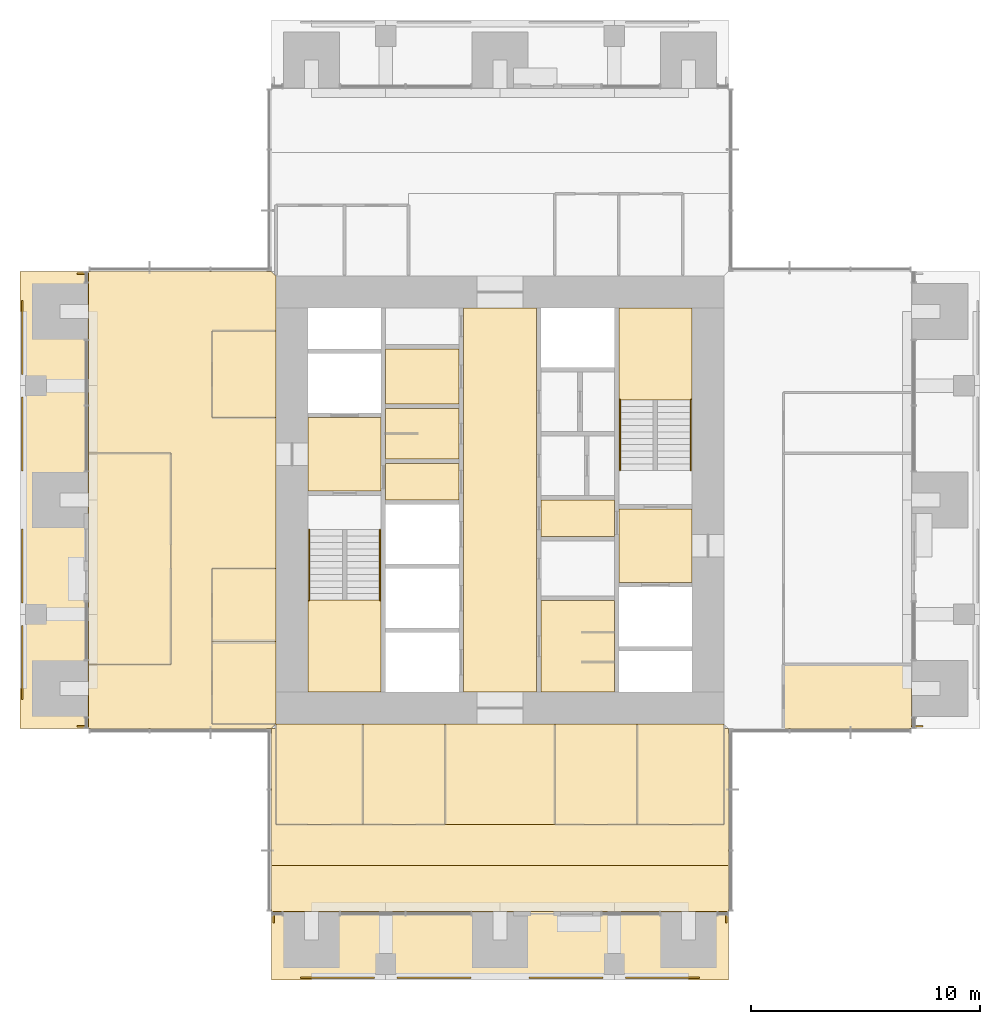
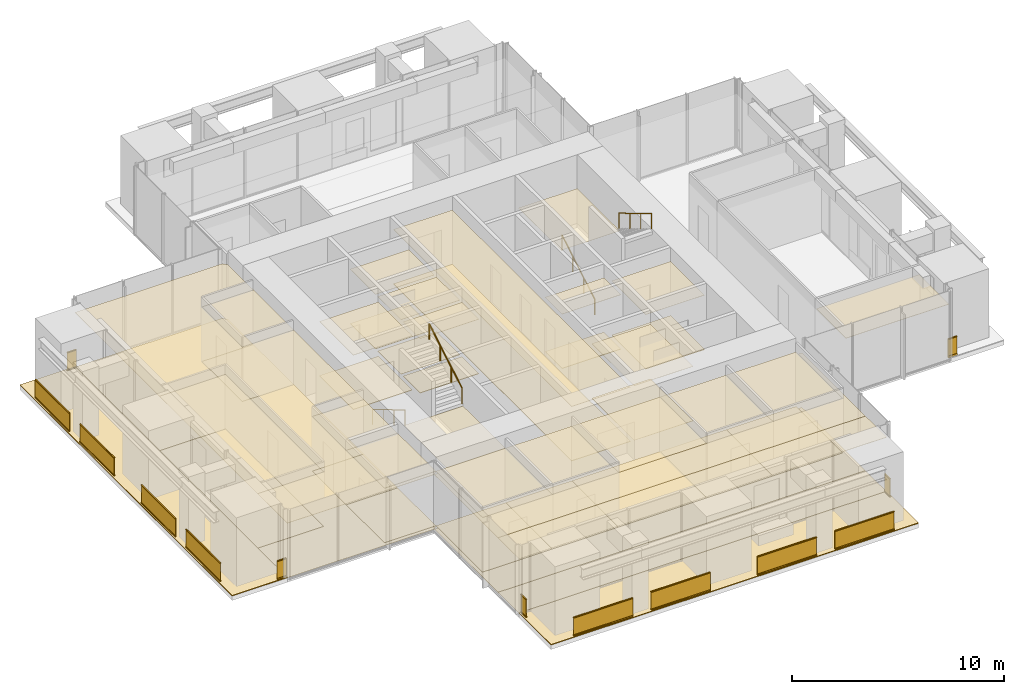
# One storey, part 15 of 17: 45 coverings, 17 railings.
"""IFC4 building model written with IfcOpenShell, lengths in metres."""

from ifc_helpers import new_model, si_unit, direction, frame, origin, origin_2d, place, context, subcontext, project, spatial, polyline, rectangle, circle, outline, extrude, material, layer, layer_set, type_object, element, save


model = new_model("IFC4")

# Units and contexts
model_context = context("Model", 3, precision=1e-05, world=origin(), true_north=direction((0.0, 1.0)))
body_context = subcontext(model_context, "Body", "Model", "MODEL_VIEW")
ifc_project = project(units=[si_unit("LENGTHUNIT", "METRE"), si_unit("AREAUNIT", "SQUARE_METRE"), si_unit("VOLUMEUNIT", "CUBIC_METRE"), si_unit("PLANEANGLEUNIT", "RADIAN"), si_unit("MASSUNIT", "GRAM", prefix="KILO")], contexts=[model_context])

# Site, building, storey
site_placement = place(None, origin())
site = spatial("IfcSite", under=ifc_project, at=site_placement, CompositionType="ELEMENT")
building_placement = place(site_placement, origin())
building = spatial("IfcBuilding", under=site, at=building_placement, Name="Svetlomir Tower", CompositionType="ELEMENT")
storey_placement = place(building_placement, frame((0.0, 0.0, 202.5)))
storey = spatial("IfcBuildingStorey", under=building, at=storey_placement, Name="L48", CompositionType="ELEMENT", Elevation=202.5)

# Railings
ifc_material_1 = material(Name="Bronze anodised aluminium and laminated glass", Category="aluminium")
railing_type_1 = type_object("IfcRailingType", Name="BALCONY GUARD GR1 1100", PredefinedType="GUARDRAIL", material=ifc_material_1)
for number, where, name in (
    (1, (12.27490234375, 0.10009765625, 0.0), "Loggia guard S L48 bay 1"),
    (2, (16.5, 0.10009765625, 0.0), "Loggia guard S L48 bay 2"),
    (3, (22.27490234375, 0.10009765625, 0.0), "Loggia guard S L48 bay 3"),
    (4, (26.5, 0.10009765625, 0.0), "Loggia guard S L48 bay 4"),
):
    element("IfcRailing", number, at=place(storey_placement, frame(where)), inside=storey, type_object=railing_type_1, Name=name, PredefinedType="GUARDRAIL", context=body_context, shape_type="SweptSolid", body=[
        extrude(rectangle(XDim=0.06005859375, YDim=0.10009765625, at=origin_2d()), frame((0.0, 0.0, 0.050048828125), z_axis=(1.0, 0.0, 0.0), x_axis=(0.0, 1.0, 0.0)), (0.0, 0.0, 1.0), 3.22509765625),
        extrude(rectangle(XDim=0.021484375, YDim=0.960205078125, at=origin_2d()), frame((0.0, 0.0, 0.580078125), z_axis=(1.0, 0.0, 0.0), x_axis=(0.0, 1.0, 0.0)), (0.0, 0.0, 1.0), 3.22509765625),
        extrude(rectangle(XDim=0.06005859375, YDim=0.0400390625, at=origin_2d()), frame((0.0, 0.0, 1.080078125), z_axis=(1.0, 0.0, 0.0), x_axis=(0.0, 1.0, 0.0)), (0.0, 0.0, 1.0), 3.22509765625),
    ])
for number, where, name in (
    (5, (11.10009765625, 2.5, 0.0), "Loggia guard S L48 end 1"),
    (6, (30.89990234375, 2.5, 0.0), "Loggia guard S L48 end 2"),
):
    element("IfcRailing", number, at=place(storey_placement, frame(where)), inside=storey, type_object=railing_type_1, Name=name, PredefinedType="GUARDRAIL", context=body_context, shape_type="SweptSolid", body=[
        extrude(rectangle(XDim=0.06005859375, YDim=0.10009765625, at=origin_2d()), frame((0.0, 0.0, 0.050048828125), z_axis=(0.0, 1.0, 0.0), x_axis=(-1.0, 0.0, 0.0)), (0.0, 0.0, 1.0), 0.5),
        extrude(rectangle(XDim=0.021484375, YDim=0.960205078125, at=origin_2d()), frame((0.0, 0.0, 0.580078125), z_axis=(0.0, 1.0, 0.0), x_axis=(-1.0, 0.0, 0.0)), (0.0, 0.0, 1.0), 0.5),
        extrude(rectangle(XDim=0.06005859375, YDim=0.0400390625, at=origin_2d()), frame((0.0, 0.0, 1.080078125), z_axis=(0.0, 1.0, 0.0), x_axis=(-1.0, 0.0, 0.0)), (0.0, 0.0, 1.0), 0.5),
    ])
railing_1_placement = place(storey_placement, frame((39.5, 11.10009765625, 0.0)))
element("IfcRailing", 7, at=railing_1_placement, inside=storey, type_object=railing_type_1, Name="Loggia guard E L48 end 1", PredefinedType="GUARDRAIL", context=body_context, shape_type="SweptSolid", body=[
    extrude(rectangle(XDim=0.06005859375, YDim=0.10009765625, at=origin_2d()), frame((0.0, 0.0, 0.050048828125), z_axis=(-1.0, 0.0, 0.0), x_axis=(0.0, -1.0, 0.0)), (0.0, 0.0, 1.0), 0.5),
    extrude(rectangle(XDim=0.021484375, YDim=0.960205078125, at=origin_2d()), frame((0.0, 0.0, 0.580078125), z_axis=(-1.0, 0.0, 0.0), x_axis=(0.0, -1.0, 0.0)), (0.0, 0.0, 1.0), 0.5),
    extrude(rectangle(XDim=0.06005859375, YDim=0.0400390625, at=origin_2d()), frame((0.0, 0.0, 1.080078125), z_axis=(-1.0, 0.0, 0.0), x_axis=(0.0, -1.0, 0.0)), (0.0, 0.0, 1.0), 0.5),
])
for number, where, name in (
    (8, (0.10009765625, 12.27490234375, 0.0), "Loggia guard W L48 bay 1"),
    (9, (0.10009765625, 16.5, 0.0), "Loggia guard W L48 bay 2"),
    (10, (0.10009765625, 22.27490234375, 0.0), "Loggia guard W L48 bay 3"),
    (11, (0.10009765625, 26.5, 0.0), "Loggia guard W L48 bay 4"),
):
    element("IfcRailing", number, at=place(storey_placement, frame(where)), inside=storey, type_object=railing_type_1, Name=name, PredefinedType="GUARDRAIL", context=body_context, shape_type="SweptSolid", body=[
        extrude(rectangle(XDim=0.06005859375, YDim=0.10009765625, at=origin_2d()), frame((0.0, 0.0, 0.050048828125), z_axis=(0.0, 1.0, 0.0), x_axis=(-1.0, 0.0, 0.0)), (0.0, 0.0, 1.0), 3.22509765625),
        extrude(rectangle(XDim=0.021484375, YDim=0.960205078125, at=origin_2d()), frame((0.0, 0.0, 0.580078125), z_axis=(0.0, 1.0, 0.0), x_axis=(-1.0, 0.0, 0.0)), (0.0, 0.0, 1.0), 3.22509765625),
        extrude(rectangle(XDim=0.06005859375, YDim=0.0400390625, at=origin_2d()), frame((0.0, 0.0, 1.080078125), z_axis=(0.0, 1.0, 0.0), x_axis=(-1.0, 0.0, 0.0)), (0.0, 0.0, 1.0), 3.22509765625),
    ])
for number, where, name in (
    (12, (2.5, 11.10009765625, 0.0), "Loggia guard W L48 end 1"),
    (13, (2.5, 30.89990234375, 0.0), "Loggia guard W L48 end 2"),
):
    element("IfcRailing", number, at=place(storey_placement, frame(where)), inside=storey, type_object=railing_type_1, Name=name, PredefinedType="GUARDRAIL", context=body_context, shape_type="SweptSolid", body=[
        extrude(rectangle(XDim=0.06005859375, YDim=0.10009765625, at=origin_2d()), frame((0.0, 0.0, 0.050048828125), z_axis=(1.0, 0.0, 0.0), x_axis=(0.0, 1.0, 0.0)), (0.0, 0.0, 1.0), 0.5),
        extrude(rectangle(XDim=0.021484375, YDim=0.960205078125, at=origin_2d()), frame((0.0, 0.0, 0.580078125), z_axis=(1.0, 0.0, 0.0), x_axis=(0.0, 1.0, 0.0)), (0.0, 0.0, 1.0), 0.5),
        extrude(rectangle(XDim=0.06005859375, YDim=0.0400390625, at=origin_2d()), frame((0.0, 0.0, 1.080078125), z_axis=(1.0, 0.0, 0.0), x_axis=(0.0, 1.0, 0.0)), (0.0, 0.0, 1.0), 0.5),
    ])

# Coverings
ifc_material_2 = material(Name="Granite paving slabs on pedestals", Category="masonry")
ifc_layer_1 = layer(ifc_material_2, 0.0400390625)
ifc_layer_set_1 = layer_set([ifc_layer_1], Name="Granite paving slabs on pedestals")
covering_type_1 = type_object("IfcCoveringType", Name="BALCONY PAVING 40", PredefinedType="USERDEFINED", material=ifc_layer_set_1)
covering_1_placement = place(storey_placement, origin())
element("IfcCovering", 14, at=covering_1_placement, inside=storey, type_object=covering_type_1, Name="Loggia paving S L48", ObjectType="BALCONY PAVING", PredefinedType="USERDEFINED", context=body_context, shape_type="SweptSolid", body=[
    extrude(outline(polyline([(11.0, 0.0), (31.0, 0.0), (31.0, 3.0), (11.0, 3.0), (11.0, 0.0)])), origin(), (0.0, 0.0, 1.0), 0.0400390625),
])
covering_2_placement = place(storey_placement, origin())
element("IfcCovering", 15, at=covering_2_placement, inside=storey, type_object=covering_type_1, Name="Loggia paving W L48", ObjectType="BALCONY PAVING", PredefinedType="USERDEFINED", context=body_context, shape_type="SweptSolid", body=[
    extrude(outline(polyline([(0.0, 11.0), (3.0, 11.0), (3.0, 31.0), (0.0, 31.0), (0.0, 11.0)])), origin(), (0.0, 0.0, 1.0), 0.0400390625),
])
ifc_material_3 = material(Name="Carpet tile", Category="textile")
ifc_layer_2 = layer(ifc_material_3, 0.010009765625)
ifc_layer_set_2 = layer_set([ifc_layer_2], Name="Carpet tile")
covering_type_2 = type_object("IfcCoveringType", Name="CARPET TILE FLOOR 10", PredefinedType="FLOORING", material=ifc_layer_set_2)
covering_3_placement = place(storey_placement, origin())
element("IfcCovering", 16, at=covering_3_placement, inside=storey, type_object=covering_type_2, Name="Floor finish L48-17", PredefinedType="FLOORING", context=body_context, shape_type="SweptSolid", body=[
    extrude(outline(polyline([(11.199951171875, 6.800048828125), (15.0, 6.800048828125), (15.0, 11.199951171875), (11.199951171875, 11.199951171875), (11.199951171875, 6.800048828125)])), origin(), (0.0, 0.0, 1.0), 0.010009765625),
])
covering_4_placement = place(storey_placement, origin())
element("IfcCovering", 17, at=covering_4_placement, inside=storey, type_object=covering_type_2, Name="Floor finish L48-18", PredefinedType="FLOORING", context=body_context, shape_type="SweptSolid", body=[
    extrude(outline(polyline([(15.0, 6.800048828125), (18.60009765625, 6.800048828125), (18.60009765625, 11.199951171875), (15.0, 11.199951171875), (15.0, 6.800048828125)])), origin(), (0.0, 0.0, 1.0), 0.010009765625),
])
covering_5_placement = place(storey_placement, origin())
element("IfcCovering", 18, at=covering_5_placement, inside=storey, type_object=covering_type_2, Name="Floor finish L48-19", PredefinedType="FLOORING", context=body_context, shape_type="SweptSolid", body=[
    extrude(outline(polyline([(23.39990234375, 6.800048828125), (27.0, 6.800048828125), (27.0, 11.199951171875), (23.39990234375, 11.199951171875), (23.39990234375, 6.800048828125)])), origin(), (0.0, 0.0, 1.0), 0.010009765625),
])
covering_6_placement = place(storey_placement, origin())
element("IfcCovering", 19, at=covering_6_placement, inside=storey, type_object=covering_type_2, Name="Floor finish L48-20", PredefinedType="FLOORING", context=body_context, shape_type="SweptSolid", body=[
    extrude(outline(polyline([(27.0, 6.800048828125), (30.800048828125, 6.800048828125), (30.800048828125, 11.199951171875), (27.0, 11.199951171875), (27.0, 6.800048828125)])), origin(), (0.0, 0.0, 1.0), 0.010009765625),
])
covering_7_placement = place(storey_placement, origin())
element("IfcCovering", 20, at=covering_7_placement, inside=storey, type_object=covering_type_2, Name="Floor finish L48-28", PredefinedType="FLOORING", context=body_context, shape_type="SweptSolid", body=[
    extrude(outline(polyline([(8.39990234375, 11.199951171875), (11.199951171875, 11.199951171875), (11.199951171875, 14.800048828125), (8.39990234375, 14.800048828125), (8.39990234375, 11.199951171875)])), origin(), (0.0, 0.0, 1.0), 0.010009765625),
])
covering_8_placement = place(storey_placement, origin())
element("IfcCovering", 21, at=covering_8_placement, inside=storey, type_object=covering_type_2, Name="Floor finish L48-29", PredefinedType="FLOORING", context=body_context, shape_type="SweptSolid", body=[
    extrude(outline(polyline([(8.39990234375, 14.800048828125), (11.199951171875, 14.800048828125), (11.199951171875, 18.0), (8.39990234375, 18.0), (8.39990234375, 14.800048828125)])), origin(), (0.0, 0.0, 1.0), 0.010009765625),
])
covering_9_placement = place(storey_placement, origin())
element("IfcCovering", 22, at=covering_9_placement, inside=storey, type_object=covering_type_2, Name="Floor finish L48-30", PredefinedType="FLOORING", context=body_context, shape_type="SweptSolid", body=[
    extrude(outline(polyline([(8.39990234375, 24.60009765625), (11.199951171875, 24.60009765625), (11.199951171875, 28.39990234375), (8.39990234375, 28.39990234375), (8.39990234375, 24.60009765625)])), origin(), (0.0, 0.0, 1.0), 0.010009765625),
])
covering_10_placement = place(storey_placement, origin())
element("IfcCovering", 23, at=covering_10_placement, inside=storey, type_object=covering_type_2, Name="Floor finish L48-31", PredefinedType="FLOORING", context=body_context, shape_type="SweptSolid", body=[
    extrude(outline(polyline([(3.0, 13.800048828125), (6.60009765625, 13.800048828125), (6.60009765625, 23.050048828125), (3.0, 23.050048828125), (3.0, 13.800048828125)])), origin(), (0.0, 0.0, 1.0), 0.010009765625),
])
covering_11_placement = place(storey_placement, origin())
element("IfcCovering", 24, at=covering_11_placement, inside=storey, type_object=covering_type_2, Name="Floor finish L48-32", PredefinedType="FLOORING", context=body_context, shape_type="SweptSolid", body=[
    extrude(outline(polyline([(11.0, 11.0), (11.199951171875, 11.0), (11.199951171875, 6.800048828125), (30.800048828125, 6.800048828125), (30.800048828125, 11.0), (31.0, 11.0), (31.0, 5.0), (11.0, 5.0), (11.0, 11.0)])), origin(), (0.0, 0.0, 1.0), 0.010009765625),
])
covering_12_placement = place(storey_placement, origin())
element("IfcCovering", 25, at=covering_12_placement, inside=storey, type_object=covering_type_2, Name="Floor finish L48-34", PredefinedType="FLOORING", context=body_context, shape_type="SweptSolid", body=[
    extrude(outline(polyline([(11.0, 3.0), (11.0, 5.0), (31.0, 5.0), (31.0, 3.0), (11.0, 3.0)])), origin(), (0.0, 0.0, 1.0), 0.010009765625),
])
covering_13_placement = place(storey_placement, origin())
element("IfcCovering", 26, at=covering_13_placement, inside=storey, type_object=covering_type_2, Name="Floor finish L48-35", PredefinedType="FLOORING", context=body_context, shape_type="SweptSolid", body=[
    extrude(outline(polyline([(23.39990234375, 6.800048828125), (18.60009765625, 6.800048828125), (18.60009765625, 11.199951171875), (23.39990234375, 11.199951171875), (23.39990234375, 6.800048828125)])), origin(), (0.0, 0.0, 1.0), 0.010009765625),
])
covering_14_placement = place(storey_placement, origin())
element("IfcCovering", 27, at=covering_14_placement, inside=storey, type_object=covering_type_2, Name="Floor finish L48-40", PredefinedType="FLOORING", context=body_context, shape_type="SweptSolid", body=[
    extrude(outline(polyline([(3.0, 13.800048828125), (6.60009765625, 13.800048828125), (6.60009765625, 23.050048828125), (3.0, 23.050048828125), (3.0, 31.0), (11.0, 31.0), (11.199951171875, 30.800048828125), (11.199951171875, 28.39990234375), (8.39990234375, 28.39990234375), (8.39990234375, 24.60009765625), (11.199951171875, 24.60009765625), (11.199951171875, 18.0), (8.39990234375, 18.0), (8.39990234375, 11.199951171875), (11.199951171875, 11.199951171875), (11.0, 11.0), (3.0, 11.0), (3.0, 13.800048828125)])), origin(), (0.0, 0.0, 1.0), 0.010009765625),
])
ifc_material_4 = material(Name="Ceramic floor tile", Category="ceramic")
ifc_layer_3 = layer(ifc_material_4, 0.014892578125)
ifc_layer_set_3 = layer_set([ifc_layer_3], Name="Ceramic floor tile")
covering_type_3 = type_object("IfcCoveringType", Name="CERAMIC TILE FLOOR 15", PredefinedType="FLOORING", material=ifc_layer_set_3)
covering_15_placement = place(storey_placement, origin())
element("IfcCovering", 28, at=covering_15_placement, inside=storey, type_object=covering_type_3, Name="Floor finish L48-04", PredefinedType="FLOORING", context=body_context, shape_type="SweptSolid", body=[
    extrude(outline(polyline([(16.0, 22.800048828125), (19.199951171875, 22.800048828125), (19.199951171875, 25.0), (16.0, 25.0), (16.0, 22.800048828125)])), origin(), (0.0, 0.0, 1.0), 0.014892578125),
])
covering_16_placement = place(storey_placement, origin())
element("IfcCovering", 29, at=covering_16_placement, inside=storey, type_object=covering_type_3, Name="Floor finish L48-05", PredefinedType="FLOORING", context=body_context, shape_type="SweptSolid", body=[
    extrude(outline(polyline([(16.0, 25.199951171875), (19.199951171875, 25.199951171875), (19.199951171875, 27.60009765625), (16.0, 27.60009765625), (16.0, 25.199951171875)])), origin(), (0.0, 0.0, 1.0), 0.014892578125),
])
covering_17_placement = place(storey_placement, origin())
element("IfcCovering", 30, at=covering_17_placement, inside=storey, type_object=covering_type_3, Name="Floor finish L48-08", PredefinedType="FLOORING", context=body_context, shape_type="SweptSolid", body=[
    extrude(outline(polyline([(22.800048828125, 12.60009765625), (26.0, 12.60009765625), (26.0, 16.60009765625), (22.800048828125, 16.60009765625), (22.800048828125, 12.60009765625)])), origin(), (0.0, 0.0, 1.0), 0.014892578125),
])

# Railings
ifc_material_5 = material(Name="Stainless steel", Category="steel")
railing_type_2 = type_object("IfcRailingType", Name="HANDRAIL HR1 900", PredefinedType="HANDRAIL", material=ifc_material_5)
railing_2_placement = place(storey_placement, frame((12.64990234375, 19.699951171875, 0.166748046875)))
element("IfcRailing", 31, at=railing_2_placement, inside=storey, type_object=railing_type_2, Name="Handrail S1 flight 1 L48", PredefinedType="HANDRAIL", context=body_context, shape_type="SweptSolid", body=[
    extrude(circle(Radius=0.02392578125, at=origin_2d()), frame((0.0, 0.0, 0.8759765625), z_axis=(0.0, -0.859290745958, 0.51148745235), x_axis=(1.0, 0.0, 0.0)), (0.0, 0.0, 1.0), 3.584228515625),
    extrude(circle(Radius=0.02099609375, at=origin_2d()), origin(), (0.0, 0.0, 1.0), 0.851806640625),
    extrude(circle(Radius=0.02099609375, at=origin_2d()), frame((0.0, -1.026611328125, 0.611083984375)), (0.0, 0.0, 1.0), 0.851806640625),
    extrude(circle(Radius=0.02099609375, at=origin_2d()), frame((0.0, -2.05322265625, 1.22216796875)), (0.0, 0.0, 1.0), 0.851806640625),
    extrude(circle(Radius=0.02099609375, at=origin_2d()), frame((0.0, -3.079833984375, 1.833251953125)), (0.0, 0.0, 1.0), 0.851806640625),
])
for number, where, name in (
    (32, (15.75, 16.6201171875, 2.166748046875), "Handrail S1 flight 2 L48"),
    (33, (26.25, 22.300048828125, 0.166748046875), "Handrail S2 flight 1 L48"),
):
    element("IfcRailing", number, at=place(storey_placement, frame(where)), inside=storey, type_object=railing_type_2, Name=name, PredefinedType="HANDRAIL", context=body_context, shape_type="SweptSolid", body=[
        extrude(circle(Radius=0.02392578125, at=origin_2d()), frame((0.0, 0.0, 0.8759765625), z_axis=(0.0, 0.859290745958, 0.51148745235), x_axis=(-1.0, 0.0, 0.0)), (0.0, 0.0, 1.0), 3.584228515625),
        extrude(circle(Radius=0.02099609375, at=origin_2d()), origin(), (0.0, 0.0, 1.0), 0.851806640625),
        extrude(circle(Radius=0.02099609375, at=origin_2d()), frame((0.0, 1.026611328125, 0.611083984375)), (0.0, 0.0, 1.0), 0.851806640625),
        extrude(circle(Radius=0.02099609375, at=origin_2d()), frame((0.0, 2.05322265625, 1.22216796875)), (0.0, 0.0, 1.0), 0.851806640625),
        extrude(circle(Radius=0.02099609375, at=origin_2d()), frame((0.0, 3.079833984375, 1.833251953125)), (0.0, 0.0, 1.0), 0.851806640625),
    ])
railing_3_placement = place(storey_placement, frame((29.35009765625, 25.3798828125, 2.166748046875)))
element("IfcRailing", 34, at=railing_3_placement, inside=storey, type_object=railing_type_2, Name="Handrail S2 flight 2 L48", PredefinedType="HANDRAIL", context=body_context, shape_type="SweptSolid", body=[
    extrude(circle(Radius=0.02392578125, at=origin_2d()), frame((0.0, 0.0, 0.8759765625), z_axis=(0.0, -0.859290745958, 0.51148745235), x_axis=(1.0, 0.0, 0.0)), (0.0, 0.0, 1.0), 3.584228515625),
    extrude(circle(Radius=0.02099609375, at=origin_2d()), origin(), (0.0, 0.0, 1.0), 0.851806640625),
    extrude(circle(Radius=0.02099609375, at=origin_2d()), frame((0.0, -1.026611328125, 0.611083984375)), (0.0, 0.0, 1.0), 0.851806640625),
    extrude(circle(Radius=0.02099609375, at=origin_2d()), frame((0.0, -2.05322265625, 1.22216796875)), (0.0, 0.0, 1.0), 0.851806640625),
    extrude(circle(Radius=0.02099609375, at=origin_2d()), frame((0.0, -3.079833984375, 1.833251953125)), (0.0, 0.0, 1.0), 0.851806640625),
])

# Coverings
ifc_material_6 = material(Name="Moisture resistant plasterboard ceiling", Category="gypsum")
ifc_layer_4 = layer(ifc_material_6, 0.012451171875)
ifc_layer_set_4 = layer_set([ifc_layer_4], Name="Moisture resistant plasterboard ceiling")
covering_type_4 = type_object("IfcCoveringType", Name="MOISTURE RESISTANT CEILING 12.5", PredefinedType="CEILING", material=ifc_layer_set_4)
covering_18_placement = place(storey_placement, frame((0.0, 0.0, 3.137451171875)))
element("IfcCovering", 35, at=covering_18_placement, inside=storey, type_object=covering_type_4, Name="Ceiling L48-04", PredefinedType="CEILING", context=body_context, shape_type="SweptSolid", body=[
    extrude(outline(polyline([(16.0, 22.800048828125), (19.199951171875, 22.800048828125), (19.199951171875, 25.0), (16.0, 25.0), (16.0, 22.800048828125)])), origin(), (0.0, 0.0, 1.0), 0.012451171875),
])
covering_19_placement = place(storey_placement, frame((0.0, 0.0, 3.137451171875)))
element("IfcCovering", 36, at=covering_19_placement, inside=storey, type_object=covering_type_4, Name="Ceiling L48-05", PredefinedType="CEILING", context=body_context, shape_type="SweptSolid", body=[
    extrude(outline(polyline([(16.0, 25.199951171875), (19.199951171875, 25.199951171875), (19.199951171875, 27.60009765625), (16.0, 27.60009765625), (16.0, 25.199951171875)])), origin(), (0.0, 0.0, 1.0), 0.012451171875),
])
covering_20_placement = place(storey_placement, frame((0.0, 0.0, 3.137451171875)))
element("IfcCovering", 37, at=covering_20_placement, inside=storey, type_object=covering_type_4, Name="Ceiling L48-08", PredefinedType="CEILING", context=body_context, shape_type="SweptSolid", body=[
    extrude(outline(polyline([(22.800048828125, 12.60009765625), (26.0, 12.60009765625), (26.0, 16.60009765625), (22.800048828125, 16.60009765625), (22.800048828125, 12.60009765625)])), origin(), (0.0, 0.0, 1.0), 0.012451171875),
])
ifc_material_7 = material(Name="Gypsum plasterboard ceiling", Category="gypsum")
ifc_layer_5 = layer(ifc_material_7, 0.014892578125)
ifc_layer_set_5 = layer_set([ifc_layer_5], Name="Gypsum plasterboard ceiling")
covering_type_5 = type_object("IfcCoveringType", Name="PLASTERBOARD CEILING 15", PredefinedType="CEILING", material=ifc_layer_set_5)
covering_21_placement = place(storey_placement, frame((0.0, 0.0, 3.135009765625)))
element("IfcCovering", 38, at=covering_21_placement, inside=storey, type_object=covering_type_5, Name="Ceiling L48-02", PredefinedType="CEILING", context=body_context, shape_type="SweptSolid", body=[
    extrude(outline(polyline([(12.60009765625, 21.39990234375), (15.800048828125, 21.39990234375), (15.800048828125, 24.60009765625), (12.60009765625, 24.60009765625), (12.60009765625, 21.39990234375)])), origin(), (0.0, 0.0, 1.0), 0.014892578125),
])
covering_22_placement = place(storey_placement, frame((0.0, 0.0, 3.135009765625)))
element("IfcCovering", 39, at=covering_22_placement, inside=storey, type_object=covering_type_5, Name="Ceiling L48-03", PredefinedType="CEILING", context=body_context, shape_type="SweptSolid", body=[
    extrude(outline(polyline([(16.0, 21.0), (19.199951171875, 21.0), (19.199951171875, 22.60009765625), (16.0, 22.60009765625), (16.0, 21.0)])), origin(), (0.0, 0.0, 1.0), 0.014892578125),
])
covering_23_placement = place(storey_placement, frame((0.0, 0.0, 3.135009765625)))
element("IfcCovering", 40, at=covering_23_placement, inside=storey, type_object=covering_type_5, Name="Ceiling L48-07", PredefinedType="CEILING", context=body_context, shape_type="SweptSolid", body=[
    extrude(outline(polyline([(19.39990234375, 12.60009765625), (22.60009765625, 12.60009765625), (22.60009765625, 29.39990234375), (19.39990234375, 29.39990234375), (19.39990234375, 12.60009765625)])), origin(), (0.0, 0.0, 1.0), 0.014892578125),
])
covering_24_placement = place(storey_placement, frame((0.0, 0.0, 3.135009765625)))
element("IfcCovering", 41, at=covering_24_placement, inside=storey, type_object=covering_type_5, Name="Ceiling L48-10", PredefinedType="CEILING", context=body_context, shape_type="SweptSolid", body=[
    extrude(outline(polyline([(22.800048828125, 19.39990234375), (26.0, 19.39990234375), (26.0, 21.0), (22.800048828125, 21.0), (22.800048828125, 19.39990234375)])), origin(), (0.0, 0.0, 1.0), 0.014892578125),
])
covering_25_placement = place(storey_placement, frame((0.0, 0.0, 3.135009765625)))
element("IfcCovering", 42, at=covering_25_placement, inside=storey, type_object=covering_type_5, Name="Ceiling L48-11", PredefinedType="CEILING", context=body_context, shape_type="SweptSolid", body=[
    extrude(outline(polyline([(26.199951171875, 17.39990234375), (29.39990234375, 17.39990234375), (29.39990234375, 20.60009765625), (26.199951171875, 20.60009765625), (26.199951171875, 17.39990234375)])), origin(), (0.0, 0.0, 1.0), 0.014892578125),
])
ifc_material_8 = material(Name="Studded rubber floor finish", Category="rubber")
ifc_layer_6 = layer(ifc_material_8, 0.006103515625)
ifc_layer_set_6 = layer_set([ifc_layer_6], Name="Studded rubber floor finish")
covering_type_6 = type_object("IfcCoveringType", Name="RUBBER LANDING FINISH 6", PredefinedType="FLOORING", material=ifc_layer_set_6)
covering_26_placement = place(storey_placement, frame((0.0, 0.0, 2.0)))
element("IfcCovering", 43, at=covering_26_placement, inside=storey, type_object=covering_type_6, Name="Stair S1 landing finish L48", PredefinedType="FLOORING", context=body_context, shape_type="SweptSolid", body=[
    extrude(outline(polyline([(12.60009765625, 12.60009765625), (15.800048828125, 12.60009765625), (15.800048828125, 16.6201171875), (12.60009765625, 16.6201171875), (12.60009765625, 12.60009765625)])), origin(), (0.0, 0.0, 1.0), 0.006103515625),
])
covering_27_placement = place(storey_placement, frame((0.0, 0.0, 2.0)))
element("IfcCovering", 44, at=covering_27_placement, inside=storey, type_object=covering_type_6, Name="Stair S2 landing finish L48", PredefinedType="FLOORING", context=body_context, shape_type="SweptSolid", body=[
    extrude(outline(polyline([(26.199951171875, 25.3798828125), (29.39990234375, 25.3798828125), (29.39990234375, 29.39990234375), (26.199951171875, 29.39990234375), (26.199951171875, 25.3798828125)])), origin(), (0.0, 0.0, 1.0), 0.006103515625),
])
ifc_material_9 = material(Name="Mineral fibre ceiling tile", Category="mineral")
ifc_layer_7 = layer(ifc_material_9, 0.02001953125)
ifc_layer_set_7 = layer_set([ifc_layer_7], Name="Mineral fibre ceiling tile")
covering_type_7 = type_object("IfcCoveringType", Name="SUSPENDED CEILING 20", PredefinedType="CEILING", material=ifc_layer_set_7)
covering_28_placement = place(storey_placement, frame((0.0, 0.0, 3.1298828125)))
element("IfcCovering", 45, at=covering_28_placement, inside=storey, type_object=covering_type_7, Name="Ceiling L48-17", PredefinedType="CEILING", context=body_context, shape_type="SweptSolid", body=[
    extrude(outline(polyline([(11.199951171875, 6.800048828125), (15.0, 6.800048828125), (15.0, 11.199951171875), (11.199951171875, 11.199951171875), (11.199951171875, 6.800048828125)])), origin(), (0.0, 0.0, 1.0), 0.02001953125),
])
covering_29_placement = place(storey_placement, frame((0.0, 0.0, 3.1298828125)))
element("IfcCovering", 46, at=covering_29_placement, inside=storey, type_object=covering_type_7, Name="Ceiling L48-18", PredefinedType="CEILING", context=body_context, shape_type="SweptSolid", body=[
    extrude(outline(polyline([(15.0, 6.800048828125), (18.60009765625, 6.800048828125), (18.60009765625, 11.199951171875), (15.0, 11.199951171875), (15.0, 6.800048828125)])), origin(), (0.0, 0.0, 1.0), 0.02001953125),
])
covering_30_placement = place(storey_placement, frame((0.0, 0.0, 3.1298828125)))
element("IfcCovering", 47, at=covering_30_placement, inside=storey, type_object=covering_type_7, Name="Ceiling L48-19", PredefinedType="CEILING", context=body_context, shape_type="SweptSolid", body=[
    extrude(outline(polyline([(23.39990234375, 6.800048828125), (27.0, 6.800048828125), (27.0, 11.199951171875), (23.39990234375, 11.199951171875), (23.39990234375, 6.800048828125)])), origin(), (0.0, 0.0, 1.0), 0.02001953125),
])
covering_31_placement = place(storey_placement, frame((0.0, 0.0, 3.1298828125)))
element("IfcCovering", 48, at=covering_31_placement, inside=storey, type_object=covering_type_7, Name="Ceiling L48-20", PredefinedType="CEILING", context=body_context, shape_type="SweptSolid", body=[
    extrude(outline(polyline([(27.0, 6.800048828125), (30.800048828125, 6.800048828125), (30.800048828125, 11.199951171875), (27.0, 11.199951171875), (27.0, 6.800048828125)])), origin(), (0.0, 0.0, 1.0), 0.02001953125),
])
covering_32_placement = place(storey_placement, frame((0.0, 0.0, 3.1298828125)))
element("IfcCovering", 49, at=covering_32_placement, inside=storey, type_object=covering_type_7, Name="Ceiling L48-21", PredefinedType="CEILING", context=body_context, shape_type="SweptSolid", body=[
    extrude(outline(polyline([(33.39990234375, 11.0), (39.0, 11.0), (39.0, 13.800048828125), (33.39990234375, 13.800048828125), (33.39990234375, 11.0)])), origin(), (0.0, 0.0, 1.0), 0.02001953125),
])
covering_33_placement = place(storey_placement, frame((0.0, 0.0, 3.1298828125)))
element("IfcCovering", 50, at=covering_33_placement, inside=storey, type_object=covering_type_7, Name="Ceiling L48-28", PredefinedType="CEILING", context=body_context, shape_type="SweptSolid", body=[
    extrude(outline(polyline([(8.39990234375, 11.199951171875), (11.199951171875, 11.199951171875), (11.199951171875, 14.800048828125), (8.39990234375, 14.800048828125), (8.39990234375, 11.199951171875)])), origin(), (0.0, 0.0, 1.0), 0.02001953125),
])
covering_34_placement = place(storey_placement, frame((0.0, 0.0, 3.1298828125)))
element("IfcCovering", 51, at=covering_34_placement, inside=storey, type_object=covering_type_7, Name="Ceiling L48-29", PredefinedType="CEILING", context=body_context, shape_type="SweptSolid", body=[
    extrude(outline(polyline([(8.39990234375, 14.800048828125), (11.199951171875, 14.800048828125), (11.199951171875, 18.0), (8.39990234375, 18.0), (8.39990234375, 14.800048828125)])), origin(), (0.0, 0.0, 1.0), 0.02001953125),
])
covering_35_placement = place(storey_placement, frame((0.0, 0.0, 3.1298828125)))
element("IfcCovering", 52, at=covering_35_placement, inside=storey, type_object=covering_type_7, Name="Ceiling L48-30", PredefinedType="CEILING", context=body_context, shape_type="SweptSolid", body=[
    extrude(outline(polyline([(8.39990234375, 24.60009765625), (11.199951171875, 24.60009765625), (11.199951171875, 28.39990234375), (8.39990234375, 28.39990234375), (8.39990234375, 24.60009765625)])), origin(), (0.0, 0.0, 1.0), 0.02001953125),
])
covering_36_placement = place(storey_placement, frame((0.0, 0.0, 3.1298828125)))
element("IfcCovering", 53, at=covering_36_placement, inside=storey, type_object=covering_type_7, Name="Ceiling L48-31", PredefinedType="CEILING", context=body_context, shape_type="SweptSolid", body=[
    extrude(outline(polyline([(3.0, 13.800048828125), (6.60009765625, 13.800048828125), (6.60009765625, 23.050048828125), (3.0, 23.050048828125), (3.0, 13.800048828125)])), origin(), (0.0, 0.0, 1.0), 0.02001953125),
])
covering_37_placement = place(storey_placement, frame((0.0, 0.0, 3.1298828125)))
element("IfcCovering", 54, at=covering_37_placement, inside=storey, type_object=covering_type_7, Name="Ceiling L48-32", PredefinedType="CEILING", context=body_context, shape_type="SweptSolid", body=[
    extrude(outline(polyline([(11.0, 11.0), (11.199951171875, 11.0), (11.199951171875, 6.800048828125), (30.800048828125, 6.800048828125), (30.800048828125, 11.0), (31.0, 11.0), (31.0, 5.0), (11.0, 5.0), (11.0, 11.0)])), origin(), (0.0, 0.0, 1.0), 0.02001953125),
])
covering_38_placement = place(storey_placement, frame((0.0, 0.0, 3.1298828125)))
element("IfcCovering", 55, at=covering_38_placement, inside=storey, type_object=covering_type_7, Name="Ceiling L48-34", PredefinedType="CEILING", context=body_context, shape_type="SweptSolid", body=[
    extrude(outline(polyline([(11.0, 3.0), (11.0, 5.0), (31.0, 5.0), (31.0, 3.0), (11.0, 3.0)])), origin(), (0.0, 0.0, 1.0), 0.02001953125),
])
covering_39_placement = place(storey_placement, frame((0.0, 0.0, 3.1298828125)))
element("IfcCovering", 56, at=covering_39_placement, inside=storey, type_object=covering_type_7, Name="Ceiling L48-35", PredefinedType="CEILING", context=body_context, shape_type="SweptSolid", body=[
    extrude(outline(polyline([(23.39990234375, 6.800048828125), (18.60009765625, 6.800048828125), (18.60009765625, 11.199951171875), (23.39990234375, 11.199951171875), (23.39990234375, 6.800048828125)])), origin(), (0.0, 0.0, 1.0), 0.02001953125),
])
covering_40_placement = place(storey_placement, frame((0.0, 0.0, 3.1298828125)))
element("IfcCovering", 57, at=covering_40_placement, inside=storey, type_object=covering_type_7, Name="Ceiling L48-40", PredefinedType="CEILING", context=body_context, shape_type="SweptSolid", body=[
    extrude(outline(polyline([(3.0, 13.800048828125), (6.60009765625, 13.800048828125), (6.60009765625, 23.050048828125), (3.0, 23.050048828125), (3.0, 31.0), (11.0, 31.0), (11.199951171875, 30.800048828125), (11.199951171875, 28.39990234375), (8.39990234375, 28.39990234375), (8.39990234375, 24.60009765625), (11.199951171875, 24.60009765625), (11.199951171875, 18.0), (8.39990234375, 18.0), (8.39990234375, 11.199951171875), (11.199951171875, 11.199951171875), (11.0, 11.0), (3.0, 11.0), (3.0, 13.800048828125)])), origin(), (0.0, 0.0, 1.0), 0.02001953125),
])
ifc_material_10 = material(Name="Bronze-aggregate terrazzo", Category="stone")
ifc_layer_8 = layer(ifc_material_10, 0.030029296875)
ifc_layer_set_8 = layer_set([ifc_layer_8], Name="Bronze-aggregate terrazzo")
covering_type_8 = type_object("IfcCoveringType", Name="TERRAZZO FLOOR 30", PredefinedType="FLOORING", material=ifc_layer_set_8)
covering_41_placement = place(storey_placement, origin())
element("IfcCovering", 58, at=covering_41_placement, inside=storey, type_object=covering_type_8, Name="Floor finish L48-02", PredefinedType="FLOORING", context=body_context, shape_type="SweptSolid", body=[
    extrude(outline(polyline([(12.60009765625, 21.39990234375), (15.800048828125, 21.39990234375), (15.800048828125, 24.60009765625), (12.60009765625, 24.60009765625), (12.60009765625, 21.39990234375)])), origin(), (0.0, 0.0, 1.0), 0.030029296875),
])
covering_42_placement = place(storey_placement, origin())
element("IfcCovering", 59, at=covering_42_placement, inside=storey, type_object=covering_type_8, Name="Floor finish L48-03", PredefinedType="FLOORING", context=body_context, shape_type="SweptSolid", body=[
    extrude(outline(polyline([(16.0, 21.0), (19.199951171875, 21.0), (19.199951171875, 22.60009765625), (16.0, 22.60009765625), (16.0, 21.0)])), origin(), (0.0, 0.0, 1.0), 0.030029296875),
])
covering_43_placement = place(storey_placement, origin())
element("IfcCovering", 60, at=covering_43_placement, inside=storey, type_object=covering_type_8, Name="Floor finish L48-07", PredefinedType="FLOORING", context=body_context, shape_type="SweptSolid", body=[
    extrude(outline(polyline([(19.39990234375, 12.60009765625), (22.60009765625, 12.60009765625), (22.60009765625, 29.39990234375), (19.39990234375, 29.39990234375), (19.39990234375, 12.60009765625)])), origin(), (0.0, 0.0, 1.0), 0.030029296875),
])
covering_44_placement = place(storey_placement, origin())
element("IfcCovering", 61, at=covering_44_placement, inside=storey, type_object=covering_type_8, Name="Floor finish L48-10", PredefinedType="FLOORING", context=body_context, shape_type="SweptSolid", body=[
    extrude(outline(polyline([(22.800048828125, 19.39990234375), (26.0, 19.39990234375), (26.0, 21.0), (22.800048828125, 21.0), (22.800048828125, 19.39990234375)])), origin(), (0.0, 0.0, 1.0), 0.030029296875),
])
covering_45_placement = place(storey_placement, origin())
element("IfcCovering", 62, at=covering_45_placement, inside=storey, type_object=covering_type_8, Name="Floor finish L48-11", PredefinedType="FLOORING", context=body_context, shape_type="SweptSolid", body=[
    extrude(outline(polyline([(26.199951171875, 17.39990234375), (29.39990234375, 17.39990234375), (29.39990234375, 20.60009765625), (26.199951171875, 20.60009765625), (26.199951171875, 17.39990234375)])), origin(), (0.0, 0.0, 1.0), 0.030029296875),
])

save(model, "model.ifc")
